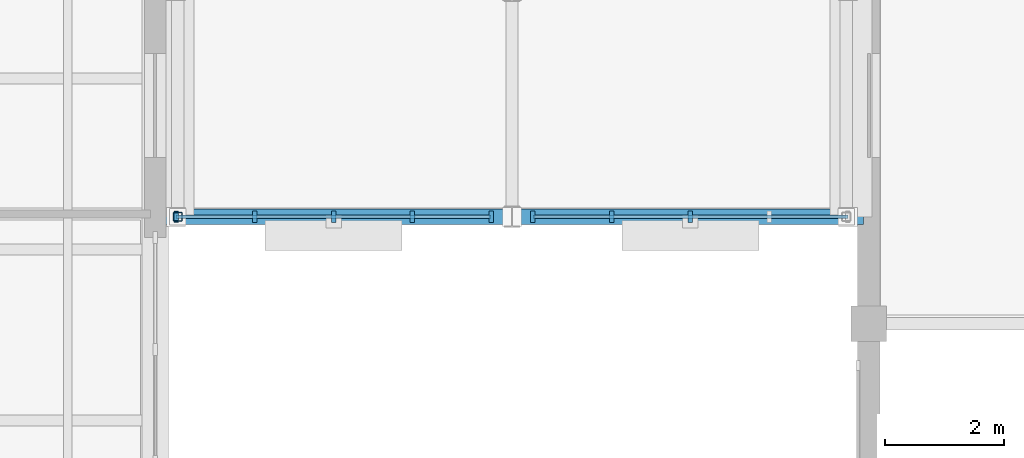
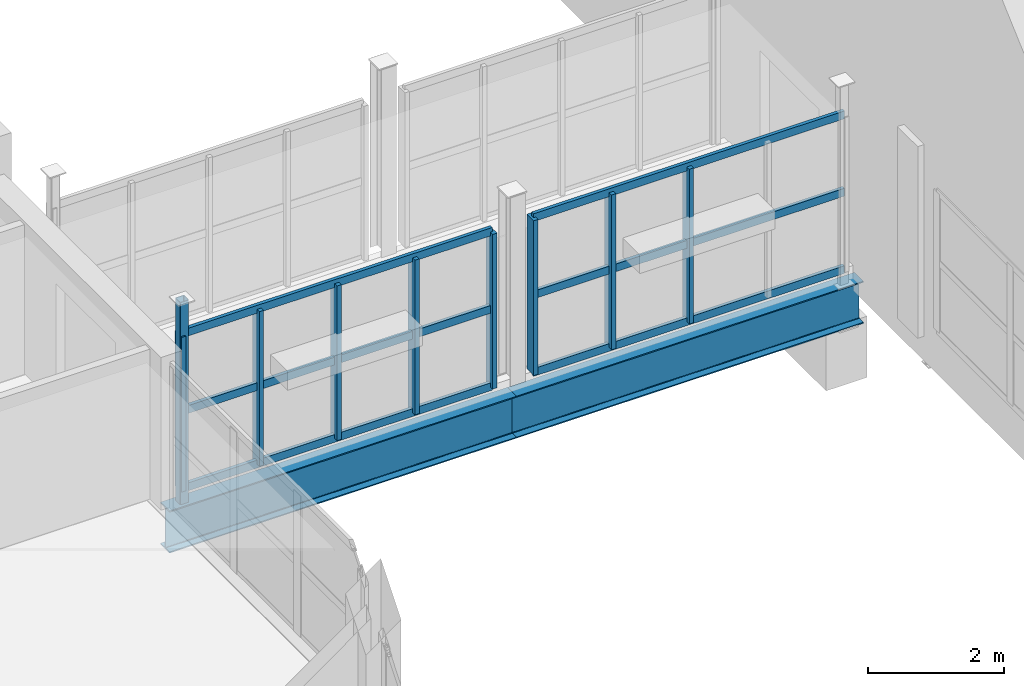
# One storey, part 11 of 77: 15 members, 2 beams, 2 elements without a shape of their own.
"""IFC4 building model written with IfcOpenShell, lengths in metres."""

from ifc_helpers import new_model, si_unit, direction, frame, origin, origin_2d, place, context, subcontext, project, spatial, rectangle, hollow_rectangle, i_section, extrude, material, layer, layer_set, material_profile, profile_set, type_object, element, aggregate, save


model = new_model("IFC4")

# Units and contexts
model_context = context("Model", 3, precision=1e-05, world=origin(), true_north=direction((0.0, 1.0)))
body_context = subcontext(model_context, "Body", "Model", "MODEL_VIEW")
ifc_project = project(units=[si_unit("LENGTHUNIT", "METRE"), si_unit("AREAUNIT", "SQUARE_METRE"), si_unit("VOLUMEUNIT", "CUBIC_METRE"), si_unit("PLANEANGLEUNIT", "RADIAN"), si_unit("MASSUNIT", "GRAM", prefix="KILO")], contexts=[model_context])

# Site, building, storey
site_placement = place(None, origin())
site = spatial("IfcSite", under=ifc_project, at=site_placement, CompositionType="ELEMENT")
building_placement = place(site_placement, origin())
building = spatial("IfcBuilding", under=site, at=building_placement, Name="Trellovar Central Fire Station", CompositionType="ELEMENT")
storey_placement = place(building_placement, frame((0.0, 0.0, 5.85009765625)))
storey = spatial("IfcBuildingStorey", under=building, at=storey_placement, Name="L02", CompositionType="ELEMENT", Elevation=5.85009765625)

# Beams
ifc_material_1 = material(Name="Steel ASTM A992 Grade 50", Category="steel")
ifc_material_profile_1 = material_profile(ifc_material_1, i_section(OverallWidth=0.2666015625, OverallDepth=0.7578125, WebThickness=0.013916015625, FlangeThickness=0.019287109375, FilletRadius=0.01904296875, at=origin_2d()), Name="W30X108")
ifc_profile_set_1 = profile_set([ifc_material_profile_1], Name="Steel ASTM A992 Grade 50")
beam_type = type_object("IfcBeamType", Name="BM-SW3", PredefinedType="BEAM", material=ifc_profile_set_1)
for number, where, z_axis, x_axis, name in (
    (1, (23.090087890625, 23.800048828125, -0.618896484375), (1.0, 0.0, 0.0), (0.0, 1.0, 0.0), "Cloister bridge L02 girder W"),
    (2, (29.0, 23.800048828125, -0.618896484375), (1.0, 0.0, 0.0), (0.0, 1.0, 0.0), "Cloister bridge L02 girder E"),
):
    element("IfcBeam", number, at=place(storey_placement, frame(where, z_axis=z_axis, x_axis=x_axis)), inside=storey, type_object=beam_type, Name=name, PredefinedType="BEAM", context=body_context, shape_type="SweptSolid", body=[
        extrude(i_section(OverallWidth=0.2666015625, OverallDepth=0.7578125, WebThickness=0.013916015625, FlangeThickness=0.019287109375, FilletRadius=0.01904296875, at=origin_2d()), origin(), (0.0, 0.0, 1.0), 5.909912109375),
    ])

# Curtain wall, members
ifc_material_2 = material(Name="Thermally broken bronze anodized aluminum", Category="aluminium")
ifc_layer = layer(ifc_material_2, 0.159912109375)
ifc_layer_set = layer_set([ifc_layer], Name="Thermally broken bronze anodized aluminum")
curtain_wall_type = type_object("IfcCurtainWallType", Name="CW-14", PredefinedType="NOTDEFINED", material=ifc_layer_set)
curtain_wall_1_placement = place(storey_placement, origin())
curtain_wall_1 = element("IfcCurtainWall", 3, at=curtain_wall_1_placement, inside=storey, type_object=curtain_wall_type, Name="Cloister skybridge south curtain wall", PredefinedType="NOTDEFINED")
ifc_material_3 = material(Name="Thermally broken bronze anodized aluminum", Category="aluminium")
ifc_material_profile_2 = material_profile(ifc_material_3, rectangle(XDim=0.074951171875, YDim=0.199951171875, at=origin_2d()), Name="ALU75X200")
ifc_profile_set_2 = profile_set([ifc_material_profile_2], Name="Thermally broken bronze anodized aluminum")
member_type_1 = type_object("IfcMemberType", Name="CWM-1", PredefinedType="MULLION", material=ifc_profile_set_2)
member_1_placement = place(storey_placement, frame((23.35009765625, 23.800048828125, 0.0), z_axis=(0.0, 0.0, 1.0), x_axis=(1.0, 0.0, 0.0)))
member_1 = element("IfcMember", 4, at=member_1_placement, type_object=member_type_1, Name="CW3-L02-0021 mullion 1", PredefinedType="MULLION", context=body_context, shape_type="SweptSolid", body=[
    extrude(rectangle(XDim=0.074951171875, YDim=0.199951171875, at=origin_2d()), origin(), (0.0, 0.0, 1.0), 2.787841796875),
])
member_2_placement = place(storey_placement, frame((24.675048828125, 23.800048828125, 0.0), z_axis=(0.0, 0.0, 1.0), x_axis=(1.0, 0.0, 0.0)))
member_2 = element("IfcMember", 5, at=member_2_placement, type_object=member_type_1, Name="CW3-L02-0021 mullion 2", PredefinedType="MULLION", context=body_context, shape_type="SweptSolid", body=[
    extrude(rectangle(XDim=0.074951171875, YDim=0.199951171875, at=origin_2d()), origin(), (0.0, 0.0, 1.0), 2.787841796875),
])
member_3_placement = place(storey_placement, frame((26.0, 23.800048828125, 0.0), z_axis=(0.0, 0.0, 1.0), x_axis=(1.0, 0.0, 0.0)))
member_3 = element("IfcMember", 6, at=member_3_placement, type_object=member_type_1, Name="CW3-L02-0021 mullion 3", PredefinedType="MULLION", context=body_context, shape_type="SweptSolid", body=[
    extrude(rectangle(XDim=0.074951171875, YDim=0.199951171875, at=origin_2d()), origin(), (0.0, 0.0, 1.0), 2.787841796875),
])
member_4_placement = place(storey_placement, frame((27.324951171875, 23.800048828125, 0.0), z_axis=(0.0, 0.0, 1.0), x_axis=(1.0, 0.0, 0.0)))
member_4 = element("IfcMember", 7, at=member_4_placement, type_object=member_type_1, Name="CW3-L02-0021 mullion 4", PredefinedType="MULLION", context=body_context, shape_type="SweptSolid", body=[
    extrude(rectangle(XDim=0.074951171875, YDim=0.199951171875, at=origin_2d()), origin(), (0.0, 0.0, 1.0), 2.787841796875),
])
member_5_placement = place(storey_placement, frame((28.64990234375, 23.800048828125, 0.0), z_axis=(0.0, 0.0, 1.0), x_axis=(1.0, 0.0, 0.0)))
member_5 = element("IfcMember", 8, at=member_5_placement, type_object=member_type_1, Name="CW3-L02-0021 mullion 5", PredefinedType="MULLION", context=body_context, shape_type="SweptSolid", body=[
    extrude(rectangle(XDim=0.074951171875, YDim=0.199951171875, at=origin_2d()), origin(), (0.0, 0.0, 1.0), 2.787841796875),
])

curtain_wall_2_placement = place(storey_placement, origin())
curtain_wall_2 = element("IfcCurtainWall", 9, at=curtain_wall_2_placement, inside=storey, type_object=curtain_wall_type, Name="Cloister skybridge south curtain wall", PredefinedType="NOTDEFINED")
member_6_placement = place(storey_placement, frame((29.35009765625, 23.800048828125, 0.0), z_axis=(0.0, 0.0, 1.0), x_axis=(1.0, 0.0, 0.0)))
member_6 = element("IfcMember", 10, at=member_6_placement, type_object=member_type_1, Name="CW3-L02-0023 mullion 1", PredefinedType="MULLION", context=body_context, shape_type="SweptSolid", body=[
    extrude(rectangle(XDim=0.074951171875, YDim=0.199951171875, at=origin_2d()), origin(), (0.0, 0.0, 1.0), 2.787841796875),
])
member_7_placement = place(storey_placement, frame((30.675048828125, 23.800048828125, 0.0), z_axis=(0.0, 0.0, 1.0), x_axis=(1.0, 0.0, 0.0)))
member_7 = element("IfcMember", 11, at=member_7_placement, type_object=member_type_1, Name="CW3-L02-0023 mullion 2", PredefinedType="MULLION", context=body_context, shape_type="SweptSolid", body=[
    extrude(rectangle(XDim=0.074951171875, YDim=0.199951171875, at=origin_2d()), origin(), (0.0, 0.0, 1.0), 2.787841796875),
])
member_8_placement = place(storey_placement, frame((32.0, 23.800048828125, 0.0), z_axis=(0.0, 0.0, 1.0), x_axis=(1.0, 0.0, 0.0)))
member_8 = element("IfcMember", 12, at=member_8_placement, type_object=member_type_1, Name="CW3-L02-0023 mullion 3", PredefinedType="MULLION", context=body_context, shape_type="SweptSolid", body=[
    extrude(rectangle(XDim=0.074951171875, YDim=0.199951171875, at=origin_2d()), origin(), (0.0, 0.0, 1.0), 2.787841796875),
])

# Member
ifc_material_4 = material(Name="Thermally broken bronze anodized aluminum", Category="aluminium")
ifc_material_profile_3 = material_profile(ifc_material_4, rectangle(XDim=0.06005859375, YDim=0.139892578125, at=origin_2d()), Name="ALU60X140")
ifc_profile_set_3 = profile_set([ifc_material_profile_3], Name="Thermally broken bronze anodized aluminum")
member_type_2 = type_object("IfcMemberType", Name="CWT-1", PredefinedType="USERDEFINED", material=ifc_profile_set_3)
member_9_placement = place(storey_placement, frame((23.35009765625, 23.800048828125, 0.0), z_axis=(1.0, 0.0, 0.0), x_axis=(0.0, 1.0, 0.0)))
member_9 = element("IfcMember", 13, at=member_9_placement, type_object=member_type_2, Name="CW3-L02-0021 transom 1", ObjectType="TRANSOM", PredefinedType="USERDEFINED", context=body_context, shape_type="SweptSolid", body=[
    extrude(rectangle(XDim=0.06005859375, YDim=0.139892578125, at=origin_2d()), origin(), (0.0, 0.0, 1.0), 5.2998046875),
])

member_10_placement = place(storey_placement, frame((23.35009765625, 23.800048828125, 1.393798828125), z_axis=(1.0, 0.0, 0.0), x_axis=(0.0, 1.0, 0.0)))
member_10 = element("IfcMember", 14, at=member_10_placement, type_object=member_type_2, Name="CW3-L02-0021 transom 2", ObjectType="TRANSOM", PredefinedType="USERDEFINED", context=body_context, shape_type="SweptSolid", body=[
    extrude(rectangle(XDim=0.06005859375, YDim=0.139892578125, at=origin_2d()), origin(), (0.0, 0.0, 1.0), 5.2998046875),
])

member_11_placement = place(storey_placement, frame((23.35009765625, 23.800048828125, 2.787841796875), z_axis=(1.0, 0.0, 0.0), x_axis=(0.0, 1.0, 0.0)))
member_11 = element("IfcMember", 15, at=member_11_placement, type_object=member_type_2, Name="CW3-L02-0021 transom 3", ObjectType="TRANSOM", PredefinedType="USERDEFINED", context=body_context, shape_type="SweptSolid", body=[
    extrude(rectangle(XDim=0.06005859375, YDim=0.139892578125, at=origin_2d()), origin(), (0.0, 0.0, 1.0), 5.2998046875),
])

aggregate(curtain_wall_1, [member_1, member_2, member_3, member_4, member_5, member_9, member_10, member_11])

member_12_placement = place(storey_placement, frame((29.35009765625, 23.800048828125, 0.0), z_axis=(1.0, 0.0, 0.0), x_axis=(0.0, 1.0, 0.0)))
member_12 = element("IfcMember", 16, at=member_12_placement, type_object=member_type_2, Name="CW3-L02-0023 transom 1", ObjectType="TRANSOM", PredefinedType="USERDEFINED", context=body_context, shape_type="SweptSolid", body=[
    extrude(rectangle(XDim=0.06005859375, YDim=0.139892578125, at=origin_2d()), origin(), (0.0, 0.0, 1.0), 5.2998046875),
])

member_13_placement = place(storey_placement, frame((29.35009765625, 23.800048828125, 1.393798828125), z_axis=(1.0, 0.0, 0.0), x_axis=(0.0, 1.0, 0.0)))
member_13 = element("IfcMember", 17, at=member_13_placement, type_object=member_type_2, Name="CW3-L02-0023 transom 2", ObjectType="TRANSOM", PredefinedType="USERDEFINED", context=body_context, shape_type="SweptSolid", body=[
    extrude(rectangle(XDim=0.06005859375, YDim=0.139892578125, at=origin_2d()), origin(), (0.0, 0.0, 1.0), 5.2998046875),
])

member_14_placement = place(storey_placement, frame((29.35009765625, 23.800048828125, 2.787841796875), z_axis=(1.0, 0.0, 0.0), x_axis=(0.0, 1.0, 0.0)))
member_14 = element("IfcMember", 18, at=member_14_placement, type_object=member_type_2, Name="CW3-L02-0023 transom 3", ObjectType="TRANSOM", PredefinedType="USERDEFINED", context=body_context, shape_type="SweptSolid", body=[
    extrude(rectangle(XDim=0.06005859375, YDim=0.139892578125, at=origin_2d()), origin(), (0.0, 0.0, 1.0), 5.2998046875),
])

aggregate(curtain_wall_2, [member_6, member_7, member_8, member_12, member_13, member_14])

ifc_material_5 = material(Name="Steel ASTM A500 Grade C", Category="steel")
ifc_material_profile_4 = material_profile(ifc_material_5, hollow_rectangle(XDim=0.15234375, YDim=0.15234375, WallThickness=0.0087890625, InnerFilletRadius=0.0087890625, OuterFilletRadius=0.017822265625, at=origin_2d()), Name="HSS6X6X3/8")
ifc_profile_set_4 = profile_set([ifc_material_profile_4], Name="Steel ASTM A500 Grade C")
member_type_3 = type_object("IfcMemberType", Name="MEM-ST1", PredefinedType="STRUT", material=ifc_profile_set_4)
member_15_placement = place(storey_placement, frame((23.3798828125, 23.800048828125, -0.239990234375), z_axis=(0.0, 0.0, 1.0), x_axis=(1.0, 0.0, 0.0)))
element("IfcMember", 19, at=member_15_placement, inside=storey, type_object=member_type_3, Name="Cloister bridge seated portal post", PredefinedType="STRUT", context=body_context, shape_type="SweptSolid", body=[
    extrude(hollow_rectangle(XDim=0.15234375, YDim=0.15234375, WallThickness=0.0087890625, InnerFilletRadius=0.0087890625, OuterFilletRadius=0.017822265625, at=origin_2d()), origin(), (0.0, 0.0, 1.0), 3.639892578125),
])

save(model, "model.ifc")
